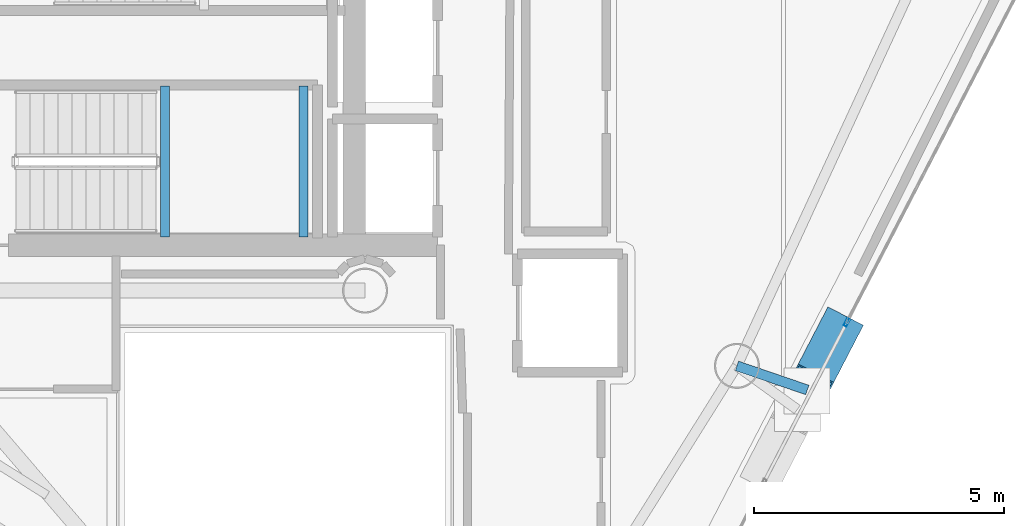
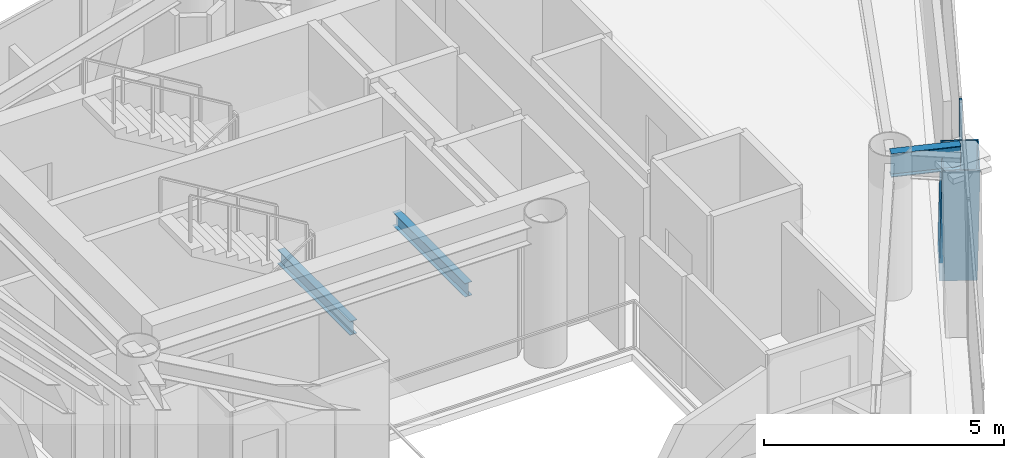
# One storey, part 11 of 21: 3 beams, 2 members, 1 element without a shape of its own.
"""IFC4 building model written with IfcOpenShell, lengths in metres."""

from ifc_helpers import new_model, si_unit, direction, frame, origin, origin_2d, place, context, subcontext, project, spatial, hollow_rectangle, i_section, extrude, material, layer, layer_set, material_profile, profile_set, type_object, element, aggregate, save


model = new_model("IFC4")

# Units and contexts
model_context = context("Model", 3, precision=1e-05, world=origin(), true_north=direction((0.0, 1.0)))
body_context = subcontext(model_context, "Body", "Model", "MODEL_VIEW")
ifc_project = project(units=[si_unit("LENGTHUNIT", "METRE"), si_unit("AREAUNIT", "SQUARE_METRE"), si_unit("VOLUMEUNIT", "CUBIC_METRE"), si_unit("PLANEANGLEUNIT", "RADIAN"), si_unit("MASSUNIT", "GRAM", prefix="KILO")], contexts=[model_context])

# Site, building, storey
site_placement = place(None, origin())
site = spatial("IfcSite", under=ifc_project, at=site_placement, CompositionType="ELEMENT")
building_placement = place(site_placement, origin())
building = spatial("IfcBuilding", under=site, at=building_placement, Name="Qianvela Tower", CompositionType="ELEMENT")
storey_placement = place(building_placement, frame((0.0, 0.0, 310.199951171875)))
storey = spatial("IfcBuildingStorey", under=building, at=storey_placement, Name="L80", CompositionType="ELEMENT", Elevation=310.199951171875)

# Beams
ifc_material_1 = material(Name="Steel Q355B", Category="steel")
ifc_material_profile_1 = material_profile(ifc_material_1, i_section(OverallWidth=0.175048828125, OverallDepth=0.35009765625, WebThickness=0.007080078125, FlangeThickness=0.010986328125, at=origin_2d()), Name="HN350x175x7x11")
ifc_profile_set_1 = profile_set([ifc_material_profile_1], Name="Steel Q355B")
beam_type_1 = type_object("IfcBeamType", Name="BM-HN350-JOIST", PredefinedType="JOIST", material=ifc_profile_set_1)
for number, where, z_axis, x_axis, name in (
    (1, (34.39990234375, 24.919921875, 1.47509765625), (0.0, 1.0, 0.0), (-1.0, 0.0, 0.0), "L80 Stair ST-2 Landing Support Beam 1.1"),
    (2, (37.169921875, 24.919921875, 1.47509765625), (0.0, 1.0, 0.0), (-1.0, 0.0, 0.0), "L80 Stair ST-2 Landing Support Beam 1.2"),
):
    element("IfcBeam", number, at=place(storey_placement, frame(where, z_axis=z_axis, x_axis=x_axis)), inside=storey, type_object=beam_type_1, Name=name, PredefinedType="JOIST", context=body_context, shape_type="SweptSolid", body=[
        extrude(i_section(OverallWidth=0.175048828125, OverallDepth=0.35009765625, WebThickness=0.007080078125, FlangeThickness=0.010986328125, at=origin_2d()), origin(), (0.0, 0.0, 1.0), 3.02001953125),
    ])
ifc_material_2 = material(Name="Steel Q355B", Category="steel")
ifc_material_profile_2 = material_profile(ifc_material_2, i_section(OverallWidth=0.199951171875, OverallDepth=0.60009765625, WebThickness=0.010986328125, FlangeThickness=0.01708984375, at=origin_2d()), Name="HN600x200x11x17")
ifc_profile_set_2 = profile_set([ifc_material_profile_2], Name="Steel Q355B")
beam_type_2 = type_object("IfcBeamType", Name="BM-HN600-GIRD", PredefinedType="BEAM", material=ifc_profile_set_2)
beam_placement = place(storey_placement, frame((45.833984375, 22.344970703125, 3.218017578125), z_axis=(0.946107056231, -0.323854038342, 0.0), x_axis=(0.323854038342, 0.946107056231, 0.0)))
element("IfcBeam", 3, at=beam_placement, inside=storey, type_object=beam_type_2, Name="L80 Mega-Brace Column Tie Bracket F3-2", PredefinedType="BEAM", context=body_context, shape_type="SweptSolid", body=[
    extrude(i_section(OverallWidth=0.199951171875, OverallDepth=0.60009765625, WebThickness=0.010986328125, FlangeThickness=0.01708984375, at=origin_2d()), origin(), (0.0, 0.0, 1.0), 1.486572265625),
])

# Curtain wall, member
ifc_material_3 = material(Name="Anodised Architectural Aluminium and Insulated Spandrel Panel", Category="aluminium")
ifc_layer = layer(ifc_material_3, 0.179931640625)
ifc_layer_set = layer_set([ifc_layer], Name="Anodised Architectural Aluminium and Insulated Spandrel Panel")
curtain_wall_type = type_object("IfcCurtainWallType", Name="CW-BRACEBAY", PredefinedType="USERDEFINED", material=ifc_layer_set)
curtain_wall_placement = place(storey_placement, origin())
curtain_wall = element("IfcCurtainWall", 4, at=curtain_wall_placement, inside=storey, type_object=curtain_wall_type, Name="L80 CW-BRACEBAY Curtain Wall 06B", ObjectType="CURTAIN_WALL_SYSTEM", PredefinedType="USERDEFINED")
ifc_material_4 = material(Name="Anodised Architectural Aluminium 6063-T6", Category="aluminium")
ifc_material_profile_3 = material_profile(ifc_material_4, hollow_rectangle(XDim=0.06494140625, YDim=0.159912109375, WallThickness=0.0048828125, at=origin_2d()), Name="ALU-MULL-65x160")
ifc_profile_set_3 = profile_set([ifc_material_profile_3], Name="Anodised Architectural Aluminium 6063-T6")
member_type_1 = type_object("IfcMemberType", Name="CW-BRACEBAY-MULL", PredefinedType="MULLION", material=ifc_profile_set_3)
member_1_placement = place(storey_placement, frame((48.030029296875, 23.212646484375, 0.0), z_axis=(0.0, 0.0, 1.0), x_axis=(-0.887759878128, 0.460306852855, 0.0)))
member_1 = element("IfcMember", 5, at=member_1_placement, type_object=member_type_1, Name="CW-9 mullion 2", PredefinedType="MULLION", context=body_context, shape_type="SweptSolid", body=[
    extrude(hollow_rectangle(XDim=0.06494140625, YDim=0.159912109375, WallThickness=0.0048828125, at=origin_2d()), origin(), (0.0, 0.0, 1.0), 3.52001953125),
])
aggregate(curtain_wall, [member_1])

# Member
ifc_material_5 = material(Name="Steel Q420GJC", Category="steel")
ifc_material_profile_4 = material_profile(ifc_material_5, hollow_rectangle(XDim=0.800048828125, YDim=0.800048828125, WallThickness=0.028076171875, at=origin_2d()), Name="MBOX-800x800x28")
ifc_profile_set_4 = profile_set([ifc_material_profile_4], Name="Steel Q420GJC")
member_type_2 = type_object("IfcMemberType", Name="MBR-MBRACE-800", PredefinedType="BRACE", material=ifc_profile_set_4)
member_2_placement = place(storey_placement, frame((47.8330078125, 23.005859375, -0.48193359375), z_axis=(-0.151257560233, -0.29160862148, 0.944502812252), x_axis=(0.88768848009, -0.46044452686, 0.0)))
element("IfcMember", 6, at=member_2_placement, inside=storey, type_object=member_type_2, Name="L80 Tier 13 Exterior Mega-Brace F3B", PredefinedType="BRACE", context=body_context, shape_type="SweptSolid", body=[
    extrude(hollow_rectangle(XDim=0.800048828125, YDim=0.800048828125, WallThickness=0.028076171875, at=origin_2d()), origin(), (0.0, 0.0, 1.0), 3.917236328125),
])

save(model, "model.ifc")
